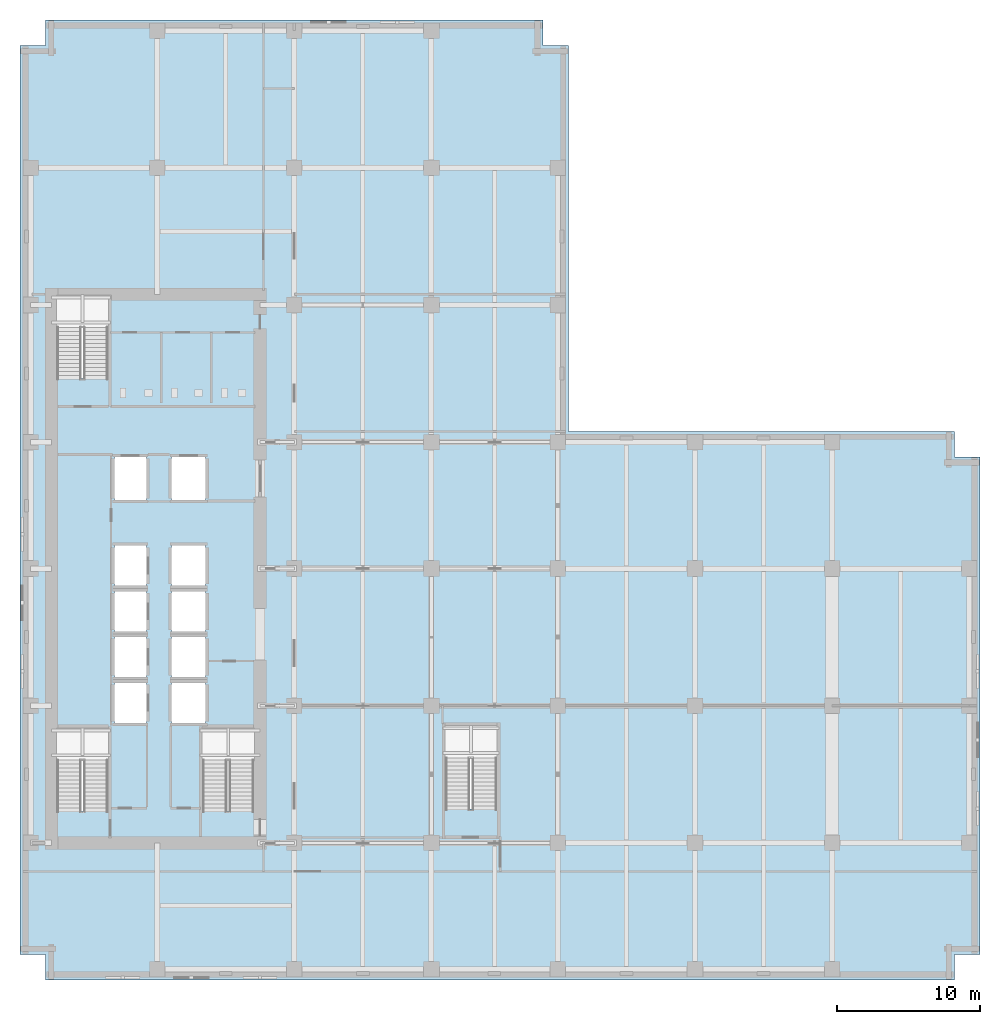
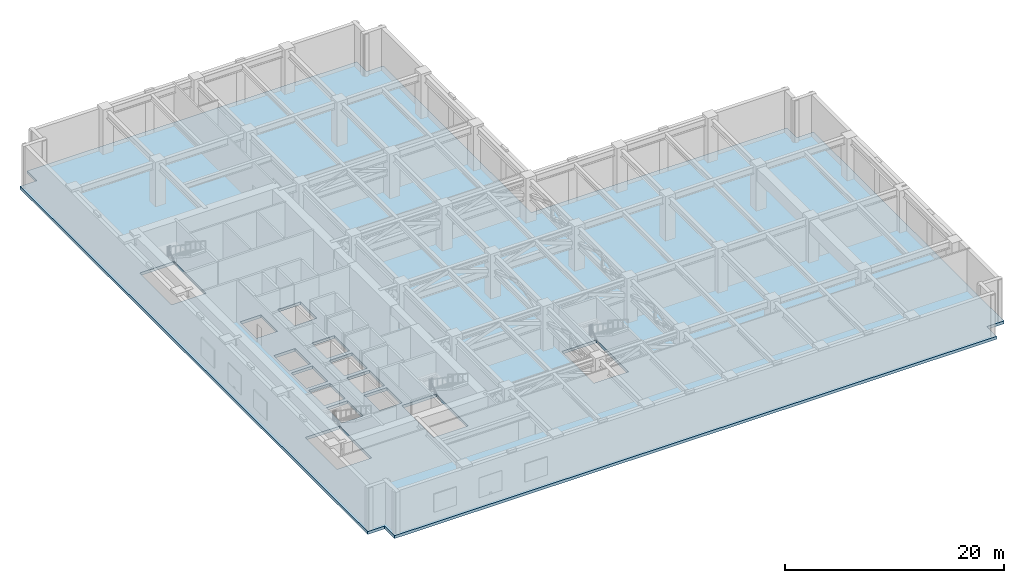
# One storey, part 11 of 22: 1 slab.
"""IFC4 building model written with IfcOpenShell, lengths in metres."""

import ifcopenshell
import ifcopenshell.guid

model = None  # the IFC model being written
_history = None  # IfcOwnerHistory: only IFC2X3 demands one
_inside = {}  # id of a spatial element -> (the spatial element, [elements in it])
_under = {}  # id of a project, library or spatial element -> (it, [spatial elements below it])
_declared = {}  # id of a project -> (the project, [libraries it declares])
_typed = {}  # id of a type object -> (the type object, [elements of that type])
_made_of = {}  # id of a material, layer set ... -> (it, [elements and type objects made of it])


def new_model(schema):
    """Start an empty IFC model of exactly this schema.

    Asked for "IFC4X3", IfcOpenShell would pick the latest addendum, in which some entities
    have other attributes; the version numbers below select the first issue.
    IFC2X3 requires an IfcOwnerHistory on every rooted entity: one is made here for all.
    """
    global model, _history
    if schema == "IFC4X3":
        model = ifcopenshell.file(schema_version=(4, 3, 0, 0))
    else:
        model = ifcopenshell.file(schema=schema)
    _inside.clear()
    _under.clear()
    _declared.clear()
    _typed.clear()
    _made_of.clear()
    _history = None
    if model.schema == "IFC2X3":
        org = make("IfcOrganization", Name="unknown")
        user = make(
            "IfcPersonAndOrganization",
            ThePerson=make("IfcPerson", FamilyName="unknown"),
            TheOrganization=org,
        )
        app = make(
            "IfcApplication",
            ApplicationDeveloper=org,
            Version="unknown",
            ApplicationFullName="unknown",
            ApplicationIdentifier="unknown",
        )
        _history = make(
            "IfcOwnerHistory",
            OwningUser=user,
            OwningApplication=app,
            ChangeAction="ADDED",
            CreationDate=0,
        )
    return model


def make(cls, **values):
    """One entity of the class cls with the attributes given. An attribute that is None is left unset."""
    return model.create_entity(
        cls, **{name: value for name, value in values.items() if value is not None}
    )


def rooted(cls, **values):
    """An entity with a GlobalId (a new one), such as an element, a storey or a relation."""
    return make(cls, GlobalId=ifcopenshell.guid.new(), OwnerHistory=_history, **values)


def si_unit(unit_type, name, prefix=None):
    """IfcSIUnit, for example si_unit("LENGTHUNIT", "METRE", prefix="MILLI")."""
    return make("IfcSIUnit", UnitType=unit_type, Prefix=prefix, Name=name)


def assignment(units):
    """IfcUnitAssignment: the units of a project."""
    return None if units is None else make("IfcUnitAssignment", Units=units)


def point(xyz):
    """IfcCartesianPoint."""
    return None if xyz is None else make("IfcCartesianPoint", Coordinates=xyz)


def direction(xyz):
    """IfcDirection."""
    return None if xyz is None else make("IfcDirection", DirectionRatios=xyz)


def frame(location, z_axis=None, x_axis=None):
    """IfcAxis2Placement3D, a coordinate frame: its origin and axes. An axis left out is left unset."""
    return make(
        "IfcAxis2Placement3D",
        Location=point(location),
        Axis=direction(z_axis),
        RefDirection=direction(x_axis),
    )


def origin():
    """The frame at (0, 0, 0) with its axes left unset."""
    return frame((0.0, 0.0, 0.0))


def place(relative_to, where):
    """IfcLocalPlacement: puts the frame where relative to a parent placement (None: the world)."""
    return make(
        "IfcLocalPlacement", PlacementRelTo=relative_to, RelativePlacement=where
    )


def context(
    kind, dimensions, precision=None, world=None, true_north=None, identifier=None
):
    """IfcGeometricRepresentationContext, for example the 3D "Model" context."""
    return make(
        "IfcGeometricRepresentationContext",
        ContextIdentifier=identifier,
        ContextType=kind,
        CoordinateSpaceDimension=dimensions,
        Precision=precision,
        WorldCoordinateSystem=world,
        TrueNorth=true_north,
    )


def subcontext(parent, identifier, kind, view, scale=None):
    """IfcGeometricRepresentationSubContext, for example "Body" below "Model"."""
    return make(
        "IfcGeometricRepresentationSubContext",
        ContextIdentifier=identifier,
        ContextType=kind,
        ParentContext=parent,
        TargetScale=scale,
        TargetView=view,
    )


def project(units=None, contexts=None):
    """IfcProject with its units and contexts."""
    return rooted(
        "IfcProject",
        Name="project",
        RepresentationContexts=contexts,
        UnitsInContext=assignment(units),
    )


def spatial(cls, under=None, at=None, **own):
    """A site, building, storey or space (cls), placed at a placement, below another one or the project."""
    s = rooted(cls, ObjectPlacement=at, **own)
    if under is not None:
        _under.setdefault(under.id(), (under, []))[1].append(s)
    return s


def polyline(points):
    """IfcPolyline through the points."""
    return make("IfcPolyline", Points=[point(p) for p in points])


def outline(outer, holes=None, kind="AREA"):
    """IfcArbitraryClosedProfileDef: a profile drawn as a closed curve; with holes, ...WithVoids."""
    if holes is None:
        return make("IfcArbitraryClosedProfileDef", ProfileType=kind, OuterCurve=outer)
    return make(
        "IfcArbitraryProfileDefWithVoids",
        ProfileType=kind,
        OuterCurve=outer,
        InnerCurves=holes,
    )


def extrude(swept, where, along, depth):
    """IfcExtrudedAreaSolid: the profile swept, set in the frame where, extruded along a direction by depth."""
    return make(
        "IfcExtrudedAreaSolid",
        SweptArea=swept,
        Position=where,
        ExtrudedDirection=direction(along),
        Depth=depth,
    )


def shape(context_of_items, identifier, shape_type, items):
    """IfcShapeRepresentation: the items that make up one representation, for example the "Body"."""
    return make(
        "IfcShapeRepresentation",
        ContextOfItems=context_of_items,
        RepresentationIdentifier=identifier,
        RepresentationType=shape_type,
        Items=items,
    )


def material(Name=None, Category=None):
    """IfcMaterial."""
    return make("IfcMaterial", Name=Name, Category=Category)


def layer(
    of_material, thickness, ventilated=None, Name=None, Category=None, Priority=None
):
    """IfcMaterialLayer: one layer of a wall or slab, of a material (None: an air gap)."""
    return make(
        "IfcMaterialLayer",
        Material=of_material,
        LayerThickness=thickness,
        IsVentilated=ventilated,
        Name=Name,
        Category=Category,
        Priority=Priority,
    )


def layer_set(layers, Name=None):
    """IfcMaterialLayerSet."""
    return make("IfcMaterialLayerSet", MaterialLayers=layers, LayerSetName=Name)


def made_of(thing, what):
    """Note that an element or type object is made of a material, layer set ...; save() writes the relation."""
    if what is not None:
        _made_of.setdefault(what.id(), (what, []))[1].append(thing)
    return thing


def type_object(cls, material=None, **own):
    """A type object (cls), such as IfcWallType, which elements share."""
    return made_of(rooted(cls, **own), material)


def element(
    cls,
    number,
    at=None,
    inside=None,
    cuts=None,
    type_object=None,
    material=None,
    context=None,
    identifier="Body",
    shape_type=None,
    held_by="IfcProductDefinitionShape",
    body=None,
    shapes=None,
    **own,
):
    """One element of the class cls, such as IfcWall. Its Tag is "e" and its number.

    at: its placement. inside: the storey or other place that contains it. cuts: it is an
    opening in that element (IfcRelVoidsElement). A single representation is given by context,
    identifier, shape_type and body (its items); several are given by shapes. held_by: the class
    of the entity that holds the representations. save() writes the other relations.
    """
    e = rooted(cls, Tag="e%d" % number, ObjectPlacement=at, **own)
    if body is not None:
        shapes = [shape(context, identifier, shape_type, body)]
    if shapes is not None:
        e.Representation = make(held_by, Representations=shapes)
    if inside is not None:
        _inside.setdefault(inside.id(), (inside, []))[1].append(e)
    if cuts is not None:
        rooted(
            "IfcRelVoidsElement", RelatingBuildingElement=cuts, RelatedOpeningElement=e
        )
    if type_object is not None:
        _typed.setdefault(type_object.id(), (type_object, []))[1].append(e)
    return made_of(e, material)


def aggregate(whole, parts):
    """IfcRelAggregates: a whole, such as a stair, and the parts it consists of."""
    return rooted("IfcRelAggregates", RelatingObject=whole, RelatedObjects=parts)


def save(model, path):
    """Write the relations noted so far, then the file.

    IfcRelAggregates (storeys below a building ...), IfcRelContainedInSpatialStructure (elements
    in a storey), IfcRelDefinesByType, IfcRelAssociatesMaterial and IfcRelDeclares: one each for
    every whole, place, type object, material and project.
    """
    for whole, parts in _under.values():
        aggregate(whole, parts)
    for where, things in _inside.values():
        rooted(
            "IfcRelContainedInSpatialStructure",
            RelatedElements=things,
            RelatingStructure=where,
        )
    for kind, things in _typed.values():
        rooted("IfcRelDefinesByType", RelatedObjects=things, RelatingType=kind)
    for what, things in _made_of.values():
        rooted("IfcRelAssociatesMaterial", RelatedObjects=things, RelatingMaterial=what)
    for by, libraries in _declared.values():
        rooted("IfcRelDeclares", RelatingContext=by, RelatedDefinitions=libraries)
    model.write(path)


model = new_model("IFC4")

# Units and contexts
model_context = context("Model", 3, precision=1e-05, world=origin(), true_north=direction((0.0, 1.0)))
body_context = subcontext(model_context, "Body", "Model", "MODEL_VIEW")
ifc_project = project(units=[si_unit("LENGTHUNIT", "METRE"), si_unit("AREAUNIT", "SQUARE_METRE"), si_unit("VOLUMEUNIT", "CUBIC_METRE"), si_unit("PLANEANGLEUNIT", "RADIAN"), si_unit("MASSUNIT", "GRAM", prefix="KILO")], contexts=[model_context])

# Site, building, storey
site_placement = place(None, origin())
site = spatial("IfcSite", under=ifc_project, at=site_placement, CompositionType="ELEMENT")
building_placement = place(site_placement, origin())
building = spatial("IfcBuilding", under=site, at=building_placement, Name="Norrvale University Quadrangle", CompositionType="ELEMENT")
storey_placement = place(building_placement, frame((0.0, 0.0, 96.39990234375)))
storey = spatial("IfcBuildingStorey", under=building, at=storey_placement, Name="L24", CompositionType="ELEMENT", Elevation=96.39990234375)

# Slab
ifc_material = material(Name="Concrete C40/50", Category="concrete")
ifc_layer = layer(ifc_material, 0.320068359375, Name="Concrete C40/50")
ifc_layer_set = layer_set([ifc_layer], Name="Concrete C40/50")
slab_type = type_object("IfcSlabType", Name="Slab Plant 320", PredefinedType="FLOOR", material=ifc_layer_set)
slab_placement = place(storey_placement, frame((0.0, 0.0, -0.31982421875)))
element("IfcSlab", 1, at=slab_placement, inside=storey, type_object=slab_type, Name="Tower L24 Floor Slab", PredefinedType="FLOOR", context=body_context, shape_type="SweptSolid", body=[
    extrude(outline(polyline([(1.800048828125, 0.0), (65.39990234375, 0.0), (65.39990234375, 1.800048828125), (67.199951171875, 1.800048828125), (67.199951171875, 36.60009765625), (65.39990234375, 36.60009765625), (65.39990234375, 38.39990234375), (38.39990234375, 38.39990234375), (38.39990234375, 65.39990234375), (36.60009765625, 65.39990234375), (36.60009765625, 67.199951171875), (1.800048828125, 67.199951171875), (1.800048828125, 65.39990234375), (0.0, 65.39990234375), (0.0, 1.800048828125), (1.800048828125, 1.800048828125), (1.800048828125, 0.0)]), holes=[polyline([(2.550048828125, 11.81005859375), (6.199951171875, 11.81005859375), (6.199951171875, 17.64990234375), (2.550048828125, 17.64990234375), (2.550048828125, 11.81005859375)]), polyline([(2.550048828125, 42.110107421875), (6.199951171875, 42.110107421875), (6.199951171875, 47.949951171875), (2.550048828125, 47.949951171875), (2.550048828125, 42.110107421875)]), polyline([(12.75, 11.81005859375), (16.39990234375, 11.81005859375), (16.39990234375, 17.64990234375), (12.75, 17.64990234375), (12.75, 11.81005859375)]), polyline([(29.75, 11.9599609375), (33.39990234375, 11.9599609375), (33.39990234375, 17.800048828125), (29.75, 17.800048828125), (29.75, 11.9599609375)]), polyline([(6.60009765625, 18.0), (8.85009765625, 18.0), (8.85009765625, 20.800048828125), (6.60009765625, 20.800048828125), (6.60009765625, 18.0)]), polyline([(6.60009765625, 21.199951171875), (8.85009765625, 21.199951171875), (8.85009765625, 24.0), (6.60009765625, 24.0), (6.60009765625, 21.199951171875)]), polyline([(6.60009765625, 24.39990234375), (8.85009765625, 24.39990234375), (8.85009765625, 27.199951171875), (6.60009765625, 27.199951171875), (6.60009765625, 24.39990234375)]), polyline([(6.60009765625, 27.60009765625), (8.85009765625, 27.60009765625), (8.85009765625, 30.39990234375), (6.60009765625, 30.39990234375), (6.60009765625, 27.60009765625)]), polyline([(10.60009765625, 18.0), (13.0, 18.0), (13.0, 20.800048828125), (10.60009765625, 20.800048828125), (10.60009765625, 18.0)]), polyline([(10.60009765625, 21.199951171875), (13.0, 21.199951171875), (13.0, 24.0), (10.60009765625, 24.0), (10.60009765625, 21.199951171875)]), polyline([(10.60009765625, 24.39990234375), (13.0, 24.39990234375), (13.0, 27.199951171875), (10.60009765625, 27.199951171875), (10.60009765625, 24.39990234375)]), polyline([(10.60009765625, 27.60009765625), (13.0, 27.60009765625), (13.0, 30.39990234375), (10.60009765625, 30.39990234375), (10.60009765625, 27.60009765625)]), polyline([(6.60009765625, 33.60009765625), (8.85009765625, 33.60009765625), (8.85009765625, 36.60009765625), (6.60009765625, 36.60009765625), (6.60009765625, 33.60009765625)]), polyline([(10.60009765625, 33.60009765625), (13.0, 33.60009765625), (13.0, 36.60009765625), (10.60009765625, 36.60009765625), (10.60009765625, 33.60009765625)])]), origin(), (0.0, 0.0, 1.0), 0.31982421875),
])

save(model, "model.ifc")
